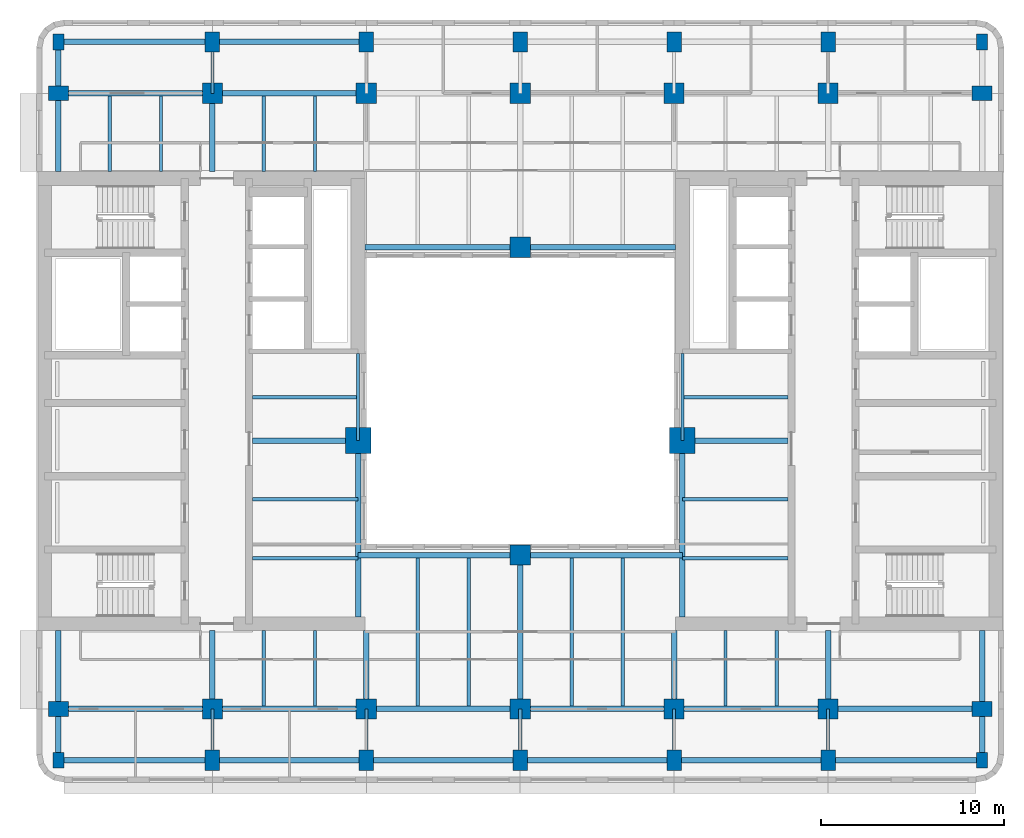
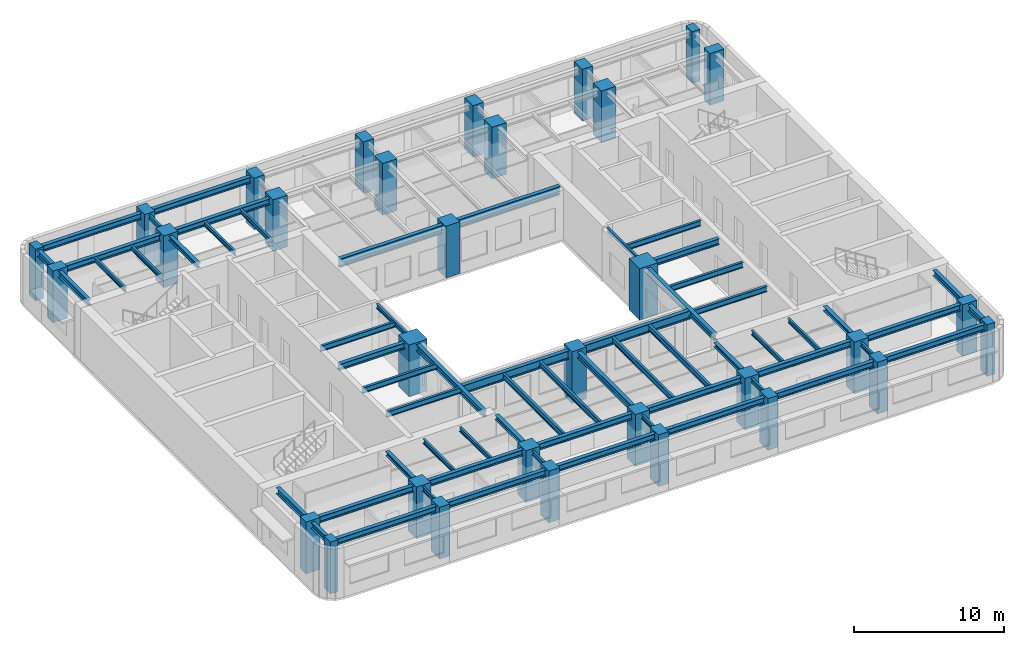
# One storey, part 1 of 11: 62 beams, 32 columns.
"""IFC4 building model written with IfcOpenShell, lengths in metres."""

from ifc_helpers import new_model, si_unit, direction, frame, origin, origin_2d, place, context, subcontext, project, spatial, rectangle, i_section, extrude, material, material_profile, profile_set, type_object, element, save


model = new_model("IFC4")

# Units and contexts
model_context = context("Model", 3, precision=1e-05, world=origin(), true_north=direction((0.0, 1.0)))
body_context = subcontext(model_context, "Body", "Model", "MODEL_VIEW")
ifc_project = project(units=[si_unit("LENGTHUNIT", "METRE"), si_unit("AREAUNIT", "SQUARE_METRE"), si_unit("VOLUMEUNIT", "CUBIC_METRE"), si_unit("PLANEANGLEUNIT", "RADIAN"), si_unit("MASSUNIT", "GRAM", prefix="KILO")], contexts=[model_context])

# Site, building, storey
site_placement = place(None, origin())
site = spatial("IfcSite", under=ifc_project, at=site_placement, CompositionType="ELEMENT")
building_placement = place(site_placement, origin())
building = spatial("IfcBuilding", under=site, at=building_placement, Name="Claustro Exchange Tower", CompositionType="ELEMENT")
storey_placement = place(building_placement, frame((0.0, 0.0, 202.800048828125)))
storey = spatial("IfcBuildingStorey", under=building, at=storey_placement, Name="L46", CompositionType="ELEMENT", Elevation=202.800048828125)

# Columns
ifc_material_1 = material(Name="Concrete HA-70 (C70/85)", Category="concrete")
ifc_material_profile_1 = material_profile(ifc_material_1, rectangle(XDim=1.39990234375, YDim=1.39990234375, at=origin_2d()), Name="RC 1400x1400")
ifc_profile_set_1 = profile_set([ifc_material_profile_1], Name="Concrete HA-70 (C70/85)")
column_type_1 = type_object("IfcColumnType", Name="C0 RC 1400x1400 HA-70 column", PredefinedType="COLUMN", material=ifc_profile_set_1)
for number, where, z_axis, x_axis, name in (
    (1, (16.35009765625, 23.050048828125, 0.0), (0.0, 0.0, 1.0), (1.0, 0.0, 0.0), "Column C0 2+7950/C+6250 L46"),
    (2, (34.050048828125, 23.050048828125, 0.0), (0.0, 0.0, 1.0), (1.0, 0.0, 0.0), "Column C0 5+450/C+6250 L46"),
):
    element("IfcColumn", number, at=place(storey_placement, frame(where, z_axis=z_axis, x_axis=x_axis)), inside=storey, type_object=column_type_1, Name=name, PredefinedType="COLUMN", context=body_context, shape_type="SweptSolid", body=[
        extrude(rectangle(XDim=1.39990234375, YDim=1.39990234375, at=origin_2d()), origin(), (0.0, 0.0, 1.0), 4.199951171875),
    ])
ifc_material_2 = material(Name="Concrete HA-70 (C70/85)", Category="concrete")
ifc_material_profile_2 = material_profile(ifc_material_2, rectangle(XDim=1.10009765625, YDim=1.10009765625, at=origin_2d()), Name="RC 1100x1100")
ifc_profile_set_2 = profile_set([ifc_material_profile_2], Name="Concrete HA-70 (C70/85)")
column_type_2 = type_object("IfcColumnType", Name="C17 RC 1100x1100 HA-70 column", PredefinedType="COLUMN", material=ifc_profile_set_2)
for number, where, z_axis, x_axis, name in (
    (3, (8.39990234375, 8.39990234375, 0.0), (0.0, 0.0, 1.0), (1.0, 0.0, 0.0), "Column C17 2/B L46"),
    (4, (8.39990234375, 42.0, 0.0), (0.0, 0.0, 1.0), (1.0, 0.0, 0.0), "Column C17 2/F L46"),
    (5, (16.800048828125, 8.39990234375, 0.0), (0.0, 0.0, 1.0), (1.0, 0.0, 0.0), "Column C17 3/B L46"),
    (6, (16.800048828125, 42.0, 0.0), (0.0, 0.0, 1.0), (1.0, 0.0, 0.0), "Column C17 3/F L46"),
    (7, (25.199951171875, 8.39990234375, 0.0), (0.0, 0.0, 1.0), (1.0, 0.0, 0.0), "Column C17 4/B L46"),
    (8, (25.199951171875, 42.0, 0.0), (0.0, 0.0, 1.0), (1.0, 0.0, 0.0), "Column C17 4/F L46"),
    (9, (25.199951171875, 16.800048828125, 0.0), (0.0, 0.0, 1.0), (1.0, 0.0, 0.0), "Column C17 4/C L46"),
    (10, (25.199951171875, 33.60009765625, 0.0), (0.0, 0.0, 1.0), (1.0, 0.0, 0.0), "Column C17 4/E L46"),
    (11, (33.60009765625, 8.39990234375, 0.0), (0.0, 0.0, 1.0), (1.0, 0.0, 0.0), "Column C17 5/B L46"),
    (12, (33.60009765625, 42.0, 0.0), (0.0, 0.0, 1.0), (1.0, 0.0, 0.0), "Column C17 5/F L46"),
    (13, (42.0, 8.39990234375, 0.0), (0.0, 0.0, 1.0), (1.0, 0.0, 0.0), "Column C17 6/B L46"),
    (14, (42.0, 42.0, 0.0), (0.0, 0.0, 1.0), (1.0, 0.0, 0.0), "Column C17 6/F L46"),
):
    element("IfcColumn", number, at=place(storey_placement, frame(where, z_axis=z_axis, x_axis=x_axis)), inside=storey, type_object=column_type_2, Name=name, PredefinedType="COLUMN", context=body_context, shape_type="SweptSolid", body=[
        extrude(rectangle(XDim=1.10009765625, YDim=1.10009765625, at=origin_2d()), origin(), (0.0, 0.0, 1.0), 4.199951171875),
    ])
ifc_material_3 = material(Name="Concrete HA-50 (C50/60)", Category="concrete")
ifc_material_profile_3 = material_profile(ifc_material_3, rectangle(XDim=0.800048828125, YDim=1.10009765625, at=origin_2d()), Name="RC 800x1100")
ifc_profile_set_3 = profile_set([ifc_material_profile_3], Name="Concrete HA-50 (C50/60)")
column_type_3 = type_object("IfcColumnType", Name="C23 RC 800x1100 HA-50 perimeter column", PredefinedType="COLUMN", material=ifc_profile_set_3)
for number, where, z_axis, x_axis, name in (
    (15, (0.0, 8.39990234375, 0.0), (0.0, 0.0, 1.0), (0.0, 1.0, 0.0), "Column C23 1/B L46"),
    (16, (0.0, 42.0, 0.0), (0.0, 0.0, 1.0), (0.0, 1.0, 0.0), "Column C23 1/F L46"),
    (17, (8.39990234375, 5.60009765625, 0.0), (0.0, 0.0, 1.0), (1.0, 0.0, 0.0), "Column C23 2/A+5600 L46"),
    (18, (8.39990234375, 44.800048828125, 0.0), (0.0, 0.0, 1.0), (1.0, 0.0, 0.0), "Column C23 2/F+2800 L46"),
    (19, (16.800048828125, 5.60009765625, 0.0), (0.0, 0.0, 1.0), (1.0, 0.0, 0.0), "Column C23 3/A+5600 L46"),
    (20, (16.800048828125, 44.800048828125, 0.0), (0.0, 0.0, 1.0), (1.0, 0.0, 0.0), "Column C23 3/F+2800 L46"),
    (21, (25.199951171875, 5.60009765625, 0.0), (0.0, 0.0, 1.0), (1.0, 0.0, 0.0), "Column C23 4/A+5600 L46"),
    (22, (25.199951171875, 44.800048828125, 0.0), (0.0, 0.0, 1.0), (1.0, 0.0, 0.0), "Column C23 4/F+2800 L46"),
    (23, (33.60009765625, 5.60009765625, 0.0), (0.0, 0.0, 1.0), (1.0, 0.0, 0.0), "Column C23 5/A+5600 L46"),
    (24, (33.60009765625, 44.800048828125, 0.0), (0.0, 0.0, 1.0), (1.0, 0.0, 0.0), "Column C23 5/F+2800 L46"),
    (25, (42.0, 5.60009765625, 0.0), (0.0, 0.0, 1.0), (1.0, 0.0, 0.0), "Column C23 6/A+5600 L46"),
    (26, (42.0, 44.800048828125, 0.0), (0.0, 0.0, 1.0), (1.0, 0.0, 0.0), "Column C23 6/F+2800 L46"),
    (27, (50.39990234375, 8.39990234375, 0.0), (0.0, 0.0, 1.0), (0.0, 1.0, 0.0), "Column C23 7/B L46"),
    (28, (50.39990234375, 42.0, 0.0), (0.0, 0.0, 1.0), (0.0, 1.0, 0.0), "Column C23 7/F L46"),
):
    element("IfcColumn", number, at=place(storey_placement, frame(where, z_axis=z_axis, x_axis=x_axis)), inside=storey, type_object=column_type_3, Name=name, PredefinedType="COLUMN", context=body_context, shape_type="SweptSolid", body=[
        extrude(rectangle(XDim=0.800048828125, YDim=1.10009765625, at=origin_2d()), origin(), (0.0, 0.0, 1.0), 4.199951171875),
    ])
ifc_material_4 = material(Name="Concrete HA-50 (C50/60)", Category="concrete")
ifc_material_profile_4 = material_profile(ifc_material_4, rectangle(XDim=0.60009765625, YDim=0.85009765625, at=origin_2d()), Name="RC 600x850")
ifc_profile_set_4 = profile_set([ifc_material_profile_4], Name="Concrete HA-50 (C50/60)")
column_type_4 = type_object("IfcColumnType", Name="C25 RC 600x850 HA-50 corner column", PredefinedType="COLUMN", material=ifc_profile_set_4)
for number, where, z_axis, x_axis, name in (
    (29, (0.0, 5.60009765625, 0.0), (0.0, 0.0, 1.0), (1.0, 0.0, 0.0), "Column C25 1/A+5600 L46"),
    (30, (0.0, 44.800048828125, 0.0), (0.0, 0.0, 1.0), (1.0, 0.0, 0.0), "Column C25 1/F+2800 L46"),
    (31, (50.39990234375, 5.60009765625, 0.0), (0.0, 0.0, 1.0), (1.0, 0.0, 0.0), "Column C25 7/A+5600 L46"),
    (32, (50.39990234375, 44.800048828125, 0.0), (0.0, 0.0, 1.0), (1.0, 0.0, 0.0), "Column C25 7/F+2800 L46"),
):
    element("IfcColumn", number, at=place(storey_placement, frame(where, z_axis=z_axis, x_axis=x_axis)), inside=storey, type_object=column_type_4, Name=name, PredefinedType="COLUMN", context=body_context, shape_type="SweptSolid", body=[
        extrude(rectangle(XDim=0.60009765625, YDim=0.85009765625, at=origin_2d()), origin(), (0.0, 0.0, 1.0), 4.199951171875),
    ])

# Beams
ifc_material_5 = material(Name="Steel S355", Category="steel")
ifc_material_profile_5 = material_profile(ifc_material_5, i_section(OverallWidth=0.300048828125, OverallDepth=0.68994140625, WebThickness=0.014404296875, FlangeThickness=0.027099609375, FilletRadius=0.027099609375, at=origin_2d()), Name="HE 700 A")
ifc_profile_set_5 = profile_set([ifc_material_profile_5], Name="Steel S355")
beam_type_1 = type_object("IfcBeamType", Name="B13 HE 700 A light well edge girder", PredefinedType="BEAM", material=ifc_profile_set_5)
beam_1_placement = place(storey_placement, frame((16.35009765625, 16.800048828125, 3.704833984375), z_axis=(1.0, 0.0, 0.0), x_axis=(0.0, 1.0, 0.0)))
element("IfcBeam", 33, at=beam_1_placement, inside=storey, type_object=beam_type_1, Name="Beam B13 L47", PredefinedType="BEAM", context=body_context, shape_type="SweptSolid", body=[
    extrude(i_section(OverallWidth=0.300048828125, OverallDepth=0.68994140625, WebThickness=0.014404296875, FlangeThickness=0.027099609375, FilletRadius=0.027099609375, at=origin_2d()), origin(), (0.0, 0.0, 1.0), 8.849853515625),
])
beam_2_placement = place(storey_placement, frame((25.199951171875, 16.800048828125, 3.704833984375), z_axis=(1.0, 0.0, 0.0), x_axis=(0.0, 1.0, 0.0)))
element("IfcBeam", 34, at=beam_2_placement, inside=storey, type_object=beam_type_1, Name="Beam B13 L47", PredefinedType="BEAM", context=body_context, shape_type="SweptSolid", body=[
    extrude(i_section(OverallWidth=0.300048828125, OverallDepth=0.68994140625, WebThickness=0.014404296875, FlangeThickness=0.027099609375, FilletRadius=0.027099609375, at=origin_2d()), origin(), (0.0, 0.0, 1.0), 8.85009765625),
])
beam_3_placement = place(storey_placement, frame((16.72509765625, 33.60009765625, 3.704833984375), z_axis=(1.0, 0.0, 0.0), x_axis=(0.0, 1.0, 0.0)))
element("IfcBeam", 35, at=beam_3_placement, inside=storey, type_object=beam_type_1, Name="Beam B13 L47", PredefinedType="BEAM", context=body_context, shape_type="SweptSolid", body=[
    extrude(i_section(OverallWidth=0.300048828125, OverallDepth=0.68994140625, WebThickness=0.014404296875, FlangeThickness=0.027099609375, FilletRadius=0.027099609375, at=origin_2d()), origin(), (0.0, 0.0, 1.0), 8.474853515625),
])
beam_4_placement = place(storey_placement, frame((25.199951171875, 33.60009765625, 3.704833984375), z_axis=(1.0, 0.0, 0.0), x_axis=(0.0, 1.0, 0.0)))
element("IfcBeam", 36, at=beam_4_placement, inside=storey, type_object=beam_type_1, Name="Beam B13 L47", PredefinedType="BEAM", context=body_context, shape_type="SweptSolid", body=[
    extrude(i_section(OverallWidth=0.300048828125, OverallDepth=0.68994140625, WebThickness=0.014404296875, FlangeThickness=0.027099609375, FilletRadius=0.027099609375, at=origin_2d()), origin(), (0.0, 0.0, 1.0), 8.47509765625),
])
ifc_material_6 = material(Name="Steel S355", Category="steel")
ifc_material_profile_6 = material_profile(ifc_material_6, i_section(OverallWidth=0.169921875, OverallDepth=0.360107421875, WebThickness=0.008056640625, FlangeThickness=0.0126953125, FilletRadius=0.01806640625, at=origin_2d()), Name="IPE 360")
ifc_profile_set_6 = profile_set([ifc_material_profile_6], Name="Steel S355")
beam_type_2 = type_object("IfcBeamType", Name="B16 IPE 360 short-span beam", PredefinedType="BEAM", material=ifc_profile_set_6)
beam_5_placement = place(storey_placement, frame((8.39990234375, 5.60009765625, 3.869873046875), z_axis=(0.0, 1.0, 0.0), x_axis=(-1.0, 0.0, 0.0)))
element("IfcBeam", 37, at=beam_5_placement, inside=storey, type_object=beam_type_2, Name="Beam B16 L47", PredefinedType="BEAM", context=body_context, shape_type="SweptSolid", body=[
    extrude(i_section(OverallWidth=0.169921875, OverallDepth=0.360107421875, WebThickness=0.008056640625, FlangeThickness=0.0126953125, FilletRadius=0.01806640625, at=origin_2d()), origin(), (0.0, 0.0, 1.0), 2.7998046875),
])
beam_6_placement = place(storey_placement, frame((8.39990234375, 42.0, 3.869873046875), z_axis=(0.0, 1.0, 0.0), x_axis=(-1.0, 0.0, 0.0)))
element("IfcBeam", 38, at=beam_6_placement, inside=storey, type_object=beam_type_2, Name="Beam B16 L47", PredefinedType="BEAM", context=body_context, shape_type="SweptSolid", body=[
    extrude(i_section(OverallWidth=0.169921875, OverallDepth=0.360107421875, WebThickness=0.008056640625, FlangeThickness=0.0126953125, FilletRadius=0.01806640625, at=origin_2d()), origin(), (0.0, 0.0, 1.0), 2.800048828125),
])
for number, where, z_axis, x_axis, name in (
    (39, (16.800048828125, 5.60009765625, 3.869873046875), (0.0, 1.0, 0.0), (-1.0, 0.0, 0.0), "Beam B16 L47"),
    (40, (25.199951171875, 5.60009765625, 3.869873046875), (0.0, 1.0, 0.0), (-1.0, 0.0, 0.0), "Beam B16 L47"),
    (41, (33.60009765625, 5.60009765625, 3.869873046875), (0.0, 1.0, 0.0), (-1.0, 0.0, 0.0), "Beam B16 L47"),
    (42, (42.0, 5.60009765625, 3.869873046875), (0.0, 1.0, 0.0), (-1.0, 0.0, 0.0), "Beam B16 L47"),
):
    element("IfcBeam", number, at=place(storey_placement, frame(where, z_axis=z_axis, x_axis=x_axis)), inside=storey, type_object=beam_type_2, Name=name, PredefinedType="BEAM", context=body_context, shape_type="SweptSolid", body=[
        extrude(i_section(OverallWidth=0.169921875, OverallDepth=0.360107421875, WebThickness=0.008056640625, FlangeThickness=0.0126953125, FilletRadius=0.01806640625, at=origin_2d()), origin(), (0.0, 0.0, 1.0), 2.7998046875),
    ])
for number, where, z_axis, x_axis, name in (
    (43, (2.800048828125, 37.72509765625, 3.869873046875), (0.0, 1.0, 0.0), (-1.0, 0.0, 0.0), "Beam B16 L47"),
    (44, (5.60009765625, 37.72509765625, 3.869873046875), (0.0, 1.0, 0.0), (-1.0, 0.0, 0.0), "Beam B16 L47"),
    (45, (11.199951171875, 8.550048828125, 3.869873046875), (0.0, 1.0, 0.0), (-1.0, 0.0, 0.0), "Beam B16 L47"),
    (46, (14.0, 8.550048828125, 3.869873046875), (0.0, 1.0, 0.0), (-1.0, 0.0, 0.0), "Beam B16 L47"),
    (47, (11.199951171875, 37.72509765625, 3.869873046875), (0.0, 1.0, 0.0), (-1.0, 0.0, 0.0), "Beam B16 L47"),
    (48, (14.0, 37.72509765625, 3.869873046875), (0.0, 1.0, 0.0), (-1.0, 0.0, 0.0), "Beam B16 L47"),
    (49, (36.39990234375, 8.550048828125, 3.869873046875), (0.0, 1.0, 0.0), (-1.0, 0.0, 0.0), "Beam B16 L47"),
    (50, (39.199951171875, 8.550048828125, 3.869873046875), (0.0, 1.0, 0.0), (-1.0, 0.0, 0.0), "Beam B16 L47"),
):
    element("IfcBeam", number, at=place(storey_placement, frame(where, z_axis=z_axis, x_axis=x_axis)), inside=storey, type_object=beam_type_2, Name=name, PredefinedType="BEAM", context=body_context, shape_type="SweptSolid", body=[
        extrude(i_section(OverallWidth=0.169921875, OverallDepth=0.360107421875, WebThickness=0.008056640625, FlangeThickness=0.0126953125, FilletRadius=0.01806640625, at=origin_2d()), origin(), (0.0, 0.0, 1.0), 4.125),
    ])
for number, where, z_axis, x_axis, name in (
    (51, (16.35009765625, 23.050048828125, 3.869873046875), (0.0, 1.0, 0.0), (-1.0, 0.0, 0.0), "Beam B16 core step framing L47"),
    (52, (34.050048828125, 23.050048828125, 3.869873046875), (0.0, 1.0, 0.0), (-1.0, 0.0, 0.0), "Beam B16 core step framing L47"),
):
    element("IfcBeam", number, at=place(storey_placement, frame(where, z_axis=z_axis, x_axis=x_axis)), inside=storey, type_object=beam_type_2, Name=name, PredefinedType="BEAM", context=body_context, shape_type="SweptSolid", body=[
        extrude(i_section(OverallWidth=0.169921875, OverallDepth=0.360107421875, WebThickness=0.008056640625, FlangeThickness=0.0126953125, FilletRadius=0.01806640625, at=origin_2d()), origin(), (0.0, 0.0, 1.0), 4.75),
    ])
ifc_material_7 = material(Name="Steel S355", Category="steel")
ifc_material_profile_7 = material_profile(ifc_material_7, i_section(OverallWidth=0.300048828125, OverallDepth=0.360107421875, WebThickness=0.012451171875, FlangeThickness=0.0224609375, FilletRadius=0.027099609375, at=origin_2d()), Name="HE 360 B")
ifc_profile_set_7 = profile_set([ifc_material_profile_7], Name="Steel S355")
beam_type_3 = type_object("IfcBeamType", Name="B29 HE 360 B column to core link beam", PredefinedType="BEAM", material=ifc_profile_set_7)
beam_7_placement = place(storey_placement, frame((8.39990234375, 8.39990234375, 3.869873046875), z_axis=(0.0, 1.0, 0.0), x_axis=(-1.0, 0.0, 0.0)))
element("IfcBeam", 53, at=beam_7_placement, inside=storey, type_object=beam_type_3, Name="Beam B29 L47", PredefinedType="BEAM", context=body_context, shape_type="SweptSolid", body=[
    extrude(i_section(OverallWidth=0.300048828125, OverallDepth=0.360107421875, WebThickness=0.012451171875, FlangeThickness=0.0224609375, FilletRadius=0.027099609375, at=origin_2d()), origin(), (0.0, 0.0, 1.0), 4.275146484375),
])
beam_8_placement = place(storey_placement, frame((8.39990234375, 37.72509765625, 3.869873046875), z_axis=(0.0, 1.0, 0.0), x_axis=(-1.0, 0.0, 0.0)))
element("IfcBeam", 54, at=beam_8_placement, inside=storey, type_object=beam_type_3, Name="Beam B29 L47", PredefinedType="BEAM", context=body_context, shape_type="SweptSolid", body=[
    extrude(i_section(OverallWidth=0.300048828125, OverallDepth=0.360107421875, WebThickness=0.012451171875, FlangeThickness=0.0224609375, FilletRadius=0.027099609375, at=origin_2d()), origin(), (0.0, 0.0, 1.0), 4.27490234375),
])
for number, where, z_axis, x_axis, name in (
    (55, (16.800048828125, 8.39990234375, 3.869873046875), (0.0, 1.0, 0.0), (-1.0, 0.0, 0.0), "Beam B29 L47"),
    (56, (33.60009765625, 8.39990234375, 3.869873046875), (0.0, 1.0, 0.0), (-1.0, 0.0, 0.0), "Beam B29 L47"),
    (57, (42.0, 8.39990234375, 3.869873046875), (0.0, 1.0, 0.0), (-1.0, 0.0, 0.0), "Beam B29 L47"),
):
    element("IfcBeam", number, at=place(storey_placement, frame(where, z_axis=z_axis, x_axis=x_axis)), inside=storey, type_object=beam_type_3, Name=name, PredefinedType="BEAM", context=body_context, shape_type="SweptSolid", body=[
        extrude(i_section(OverallWidth=0.300048828125, OverallDepth=0.360107421875, WebThickness=0.012451171875, FlangeThickness=0.0224609375, FilletRadius=0.027099609375, at=origin_2d()), origin(), (0.0, 0.0, 1.0), 4.275146484375),
    ])
ifc_material_8 = material(Name="Steel S355", Category="steel")
ifc_material_profile_8 = material_profile(ifc_material_8, i_section(OverallWidth=0.300048828125, OverallDepth=0.5, WebThickness=0.014404296875, FlangeThickness=0.028076171875, FilletRadius=0.027099609375, at=origin_2d()), Name="HE 500 B")
ifc_profile_set_8 = profile_set([ifc_material_profile_8], Name="Steel S355")
beam_type_4 = type_object("IfcBeamType", Name="B7 HE 500 B floor girder", PredefinedType="BEAM", material=ifc_profile_set_8)
beam_9_placement = place(storey_placement, frame((25.199951171875, 8.39990234375, 3.800048828125), z_axis=(0.0, 1.0, 0.0), x_axis=(-1.0, 0.0, 0.0)))
element("IfcBeam", 58, at=beam_9_placement, inside=storey, type_object=beam_type_4, Name="Beam B7 L47", PredefinedType="BEAM", context=body_context, shape_type="SweptSolid", body=[
    extrude(i_section(OverallWidth=0.300048828125, OverallDepth=0.5, WebThickness=0.014404296875, FlangeThickness=0.028076171875, FilletRadius=0.027099609375, at=origin_2d()), origin(), (0.0, 0.0, 1.0), 8.400146484375),
])
beam_10_placement = place(storey_placement, frame((0.0, 8.39990234375, 3.800048828125), z_axis=(1.0, 0.0, 0.0), x_axis=(0.0, 1.0, 0.0)))
element("IfcBeam", 59, at=beam_10_placement, inside=storey, type_object=beam_type_4, Name="Beam B7 L47", PredefinedType="BEAM", context=body_context, shape_type="SweptSolid", body=[
    extrude(i_section(OverallWidth=0.300048828125, OverallDepth=0.5, WebThickness=0.014404296875, FlangeThickness=0.028076171875, FilletRadius=0.027099609375, at=origin_2d()), origin(), (0.0, 0.0, 1.0), 8.39990234375),
])
beam_11_placement = place(storey_placement, frame((8.39990234375, 8.39990234375, 3.800048828125), z_axis=(1.0, 0.0, 0.0), x_axis=(0.0, 1.0, 0.0)))
element("IfcBeam", 60, at=beam_11_placement, inside=storey, type_object=beam_type_4, Name="Beam B7 L47", PredefinedType="BEAM", context=body_context, shape_type="SweptSolid", body=[
    extrude(i_section(OverallWidth=0.300048828125, OverallDepth=0.5, WebThickness=0.014404296875, FlangeThickness=0.028076171875, FilletRadius=0.027099609375, at=origin_2d()), origin(), (0.0, 0.0, 1.0), 8.400146484375),
])
beam_12_placement = place(storey_placement, frame((16.800048828125, 8.39990234375, 3.800048828125), z_axis=(1.0, 0.0, 0.0), x_axis=(0.0, 1.0, 0.0)))
element("IfcBeam", 61, at=beam_12_placement, inside=storey, type_object=beam_type_4, Name="Beam B7 L47", PredefinedType="BEAM", context=body_context, shape_type="SweptSolid", body=[
    extrude(i_section(OverallWidth=0.300048828125, OverallDepth=0.5, WebThickness=0.014404296875, FlangeThickness=0.028076171875, FilletRadius=0.027099609375, at=origin_2d()), origin(), (0.0, 0.0, 1.0), 8.39990234375),
])
beam_13_placement = place(storey_placement, frame((25.199951171875, 8.39990234375, 3.800048828125), z_axis=(1.0, 0.0, 0.0), x_axis=(0.0, 1.0, 0.0)))
element("IfcBeam", 62, at=beam_13_placement, inside=storey, type_object=beam_type_4, Name="Beam B7 L47", PredefinedType="BEAM", context=body_context, shape_type="SweptSolid", body=[
    extrude(i_section(OverallWidth=0.300048828125, OverallDepth=0.5, WebThickness=0.014404296875, FlangeThickness=0.028076171875, FilletRadius=0.027099609375, at=origin_2d()), origin(), (0.0, 0.0, 1.0), 8.400146484375),
])
for number, where, z_axis, x_axis, name in (
    (63, (33.60009765625, 8.39990234375, 3.800048828125), (1.0, 0.0, 0.0), (0.0, 1.0, 0.0), "Beam B7 L47"),
    (64, (42.0, 8.39990234375, 3.800048828125), (1.0, 0.0, 0.0), (0.0, 1.0, 0.0), "Beam B7 L47"),
    (65, (0.0, 42.0, 3.800048828125), (1.0, 0.0, 0.0), (0.0, 1.0, 0.0), "Beam B7 L47"),
):
    element("IfcBeam", number, at=place(storey_placement, frame(where, z_axis=z_axis, x_axis=x_axis)), inside=storey, type_object=beam_type_4, Name=name, PredefinedType="BEAM", context=body_context, shape_type="SweptSolid", body=[
        extrude(i_section(OverallWidth=0.300048828125, OverallDepth=0.5, WebThickness=0.014404296875, FlangeThickness=0.028076171875, FilletRadius=0.027099609375, at=origin_2d()), origin(), (0.0, 0.0, 1.0), 8.39990234375),
    ])
beam_14_placement = place(storey_placement, frame((8.39990234375, 42.0, 3.800048828125), z_axis=(1.0, 0.0, 0.0), x_axis=(0.0, 1.0, 0.0)))
element("IfcBeam", 66, at=beam_14_placement, inside=storey, type_object=beam_type_4, Name="Beam B7 L47", PredefinedType="BEAM", context=body_context, shape_type="SweptSolid", body=[
    extrude(i_section(OverallWidth=0.300048828125, OverallDepth=0.5, WebThickness=0.014404296875, FlangeThickness=0.028076171875, FilletRadius=0.027099609375, at=origin_2d()), origin(), (0.0, 0.0, 1.0), 8.400146484375),
])
beam_15_placement = place(storey_placement, frame((10.60009765625, 23.050048828125, 3.800048828125), z_axis=(1.0, 0.0, 0.0), x_axis=(0.0, 1.0, 0.0)))
element("IfcBeam", 67, at=beam_15_placement, inside=storey, type_object=beam_type_4, Name="Beam B7 core step framing L47", PredefinedType="BEAM", context=body_context, shape_type="SweptSolid", body=[
    extrude(i_section(OverallWidth=0.300048828125, OverallDepth=0.5, WebThickness=0.014404296875, FlangeThickness=0.028076171875, FilletRadius=0.027099609375, at=origin_2d()), origin(), (0.0, 0.0, 1.0), 5.75),
])
beam_16_placement = place(storey_placement, frame((16.35009765625, 13.425048828125, 3.800048828125), z_axis=(0.0, 1.0, 0.0), x_axis=(-1.0, 0.0, 0.0)))
element("IfcBeam", 68, at=beam_16_placement, inside=storey, type_object=beam_type_4, Name="Beam B7 core step framing L47", PredefinedType="BEAM", context=body_context, shape_type="SweptSolid", body=[
    extrude(i_section(OverallWidth=0.300048828125, OverallDepth=0.5, WebThickness=0.014404296875, FlangeThickness=0.028076171875, FilletRadius=0.027099609375, at=origin_2d()), origin(), (0.0, 0.0, 1.0), 9.625),
])
beam_17_placement = place(storey_placement, frame((34.050048828125, 23.050048828125, 3.800048828125), z_axis=(1.0, 0.0, 0.0), x_axis=(0.0, 1.0, 0.0)))
element("IfcBeam", 69, at=beam_17_placement, inside=storey, type_object=beam_type_4, Name="Beam B7 core step framing L47", PredefinedType="BEAM", context=body_context, shape_type="SweptSolid", body=[
    extrude(i_section(OverallWidth=0.300048828125, OverallDepth=0.5, WebThickness=0.014404296875, FlangeThickness=0.028076171875, FilletRadius=0.027099609375, at=origin_2d()), origin(), (0.0, 0.0, 1.0), 5.75),
])
beam_18_placement = place(storey_placement, frame((34.050048828125, 13.425048828125, 3.800048828125), z_axis=(0.0, 1.0, 0.0), x_axis=(-1.0, 0.0, 0.0)))
element("IfcBeam", 70, at=beam_18_placement, inside=storey, type_object=beam_type_4, Name="Beam B7 core step framing L47", PredefinedType="BEAM", context=body_context, shape_type="SweptSolid", body=[
    extrude(i_section(OverallWidth=0.300048828125, OverallDepth=0.5, WebThickness=0.014404296875, FlangeThickness=0.028076171875, FilletRadius=0.027099609375, at=origin_2d()), origin(), (0.0, 0.0, 1.0), 9.625),
])
ifc_material_9 = material(Name="Steel S355", Category="steel")
ifc_material_profile_9 = material_profile(ifc_material_9, i_section(OverallWidth=0.18994140625, OverallDepth=0.449951171875, WebThickness=0.009521484375, FlangeThickness=0.0146484375, FilletRadius=0.02099609375, at=origin_2d()), Name="IPE 450")
ifc_profile_set_9 = profile_set([ifc_material_profile_9], Name="Steel S355")
beam_type_5 = type_object("IfcBeamType", Name="B8 IPE 450 secondary beam", PredefinedType="BEAM", material=ifc_profile_set_9)
for number, where, z_axis, x_axis, name in (
    (71, (19.60009765625, 8.550048828125, 3.824951171875), (0.0, 1.0, 0.0), (-1.0, 0.0, 0.0), "Beam B8 L47"),
    (72, (22.39990234375, 8.550048828125, 3.824951171875), (0.0, 1.0, 0.0), (-1.0, 0.0, 0.0), "Beam B8 L47"),
    (73, (28.0, 8.550048828125, 3.824951171875), (0.0, 1.0, 0.0), (-1.0, 0.0, 0.0), "Beam B8 L47"),
    (74, (30.800048828125, 8.550048828125, 3.824951171875), (0.0, 1.0, 0.0), (-1.0, 0.0, 0.0), "Beam B8 L47"),
):
    element("IfcBeam", number, at=place(storey_placement, frame(where, z_axis=z_axis, x_axis=x_axis)), inside=storey, type_object=beam_type_5, Name=name, PredefinedType="BEAM", context=body_context, shape_type="SweptSolid", body=[
        extrude(i_section(OverallWidth=0.18994140625, OverallDepth=0.449951171875, WebThickness=0.009521484375, FlangeThickness=0.0146484375, FilletRadius=0.02099609375, at=origin_2d()), origin(), (0.0, 0.0, 1.0), 8.099853515625),
    ])
for number, where, z_axis, x_axis, name in (
    (75, (10.60009765625, 16.63330078125, 3.824951171875), (1.0, 0.0, 0.0), (0.0, 1.0, 0.0), "Beam B8 core step framing L47"),
    (76, (10.60009765625, 19.841796875, 3.824951171875), (1.0, 0.0, 0.0), (0.0, 1.0, 0.0), "Beam B8 core step framing L47"),
    (77, (10.60009765625, 25.425048828125, 3.824951171875), (1.0, 0.0, 0.0), (0.0, 1.0, 0.0), "Beam B8 core step framing L47"),
    (78, (34.050048828125, 16.63330078125, 3.824951171875), (1.0, 0.0, 0.0), (0.0, 1.0, 0.0), "Beam B8 core step framing L47"),
    (79, (34.050048828125, 19.841796875, 3.824951171875), (1.0, 0.0, 0.0), (0.0, 1.0, 0.0), "Beam B8 core step framing L47"),
    (80, (34.050048828125, 25.425048828125, 3.824951171875), (1.0, 0.0, 0.0), (0.0, 1.0, 0.0), "Beam B8 core step framing L47"),
):
    element("IfcBeam", number, at=place(storey_placement, frame(where, z_axis=z_axis, x_axis=x_axis)), inside=storey, type_object=beam_type_5, Name=name, PredefinedType="BEAM", context=body_context, shape_type="SweptSolid", body=[
        extrude(i_section(OverallWidth=0.18994140625, OverallDepth=0.449951171875, WebThickness=0.009521484375, FlangeThickness=0.0146484375, FilletRadius=0.02099609375, at=origin_2d()), origin(), (0.0, 0.0, 1.0), 5.75),
    ])
ifc_material_10 = material(Name="Steel S355", Category="steel")
ifc_material_profile_10 = material_profile(ifc_material_10, i_section(OverallWidth=0.300048828125, OverallDepth=0.489990234375, WebThickness=0.011962890625, FlangeThickness=0.02294921875, FilletRadius=0.027099609375, at=origin_2d()), Name="HE 500 A")
ifc_profile_set_10 = profile_set([ifc_material_profile_10], Name="Steel S355")
beam_type_6 = type_object("IfcBeamType", Name="B9 HE 500 A spandrel edge girder", PredefinedType="SPANDREL", material=ifc_profile_set_10)
beam_19_placement = place(storey_placement, frame((0.0, 5.60009765625, 3.804931640625), z_axis=(0.0, 1.0, 0.0), x_axis=(-1.0, 0.0, 0.0)))
element("IfcBeam", 81, at=beam_19_placement, inside=storey, type_object=beam_type_6, Name="Beam B9 L47", PredefinedType="SPANDREL", context=body_context, shape_type="SweptSolid", body=[
    extrude(i_section(OverallWidth=0.300048828125, OverallDepth=0.489990234375, WebThickness=0.011962890625, FlangeThickness=0.02294921875, FilletRadius=0.027099609375, at=origin_2d()), origin(), (0.0, 0.0, 1.0), 2.7998046875),
])
beam_20_placement = place(storey_placement, frame((0.0, 8.39990234375, 3.804931640625), z_axis=(0.0, 1.0, 0.0), x_axis=(-1.0, 0.0, 0.0)))
element("IfcBeam", 82, at=beam_20_placement, inside=storey, type_object=beam_type_6, Name="Beam B9 L47", PredefinedType="SPANDREL", context=body_context, shape_type="SweptSolid", body=[
    extrude(i_section(OverallWidth=0.300048828125, OverallDepth=0.489990234375, WebThickness=0.011962890625, FlangeThickness=0.02294921875, FilletRadius=0.027099609375, at=origin_2d()), origin(), (0.0, 0.0, 1.0), 4.275146484375),
])
beam_21_placement = place(storey_placement, frame((0.0, 37.72509765625, 3.804931640625), z_axis=(0.0, 1.0, 0.0), x_axis=(-1.0, 0.0, 0.0)))
element("IfcBeam", 83, at=beam_21_placement, inside=storey, type_object=beam_type_6, Name="Beam B9 L47", PredefinedType="SPANDREL", context=body_context, shape_type="SweptSolid", body=[
    extrude(i_section(OverallWidth=0.300048828125, OverallDepth=0.489990234375, WebThickness=0.011962890625, FlangeThickness=0.02294921875, FilletRadius=0.027099609375, at=origin_2d()), origin(), (0.0, 0.0, 1.0), 4.27490234375),
])
beam_22_placement = place(storey_placement, frame((0.0, 42.0, 3.804931640625), z_axis=(0.0, 1.0, 0.0), x_axis=(-1.0, 0.0, 0.0)))
element("IfcBeam", 84, at=beam_22_placement, inside=storey, type_object=beam_type_6, Name="Beam B9 L47", PredefinedType="SPANDREL", context=body_context, shape_type="SweptSolid", body=[
    extrude(i_section(OverallWidth=0.300048828125, OverallDepth=0.489990234375, WebThickness=0.011962890625, FlangeThickness=0.02294921875, FilletRadius=0.027099609375, at=origin_2d()), origin(), (0.0, 0.0, 1.0), 2.800048828125),
])
beam_23_placement = place(storey_placement, frame((50.39990234375, 5.60009765625, 3.804931640625), z_axis=(0.0, 1.0, 0.0), x_axis=(-1.0, 0.0, 0.0)))
element("IfcBeam", 85, at=beam_23_placement, inside=storey, type_object=beam_type_6, Name="Beam B9 L47", PredefinedType="SPANDREL", context=body_context, shape_type="SweptSolid", body=[
    extrude(i_section(OverallWidth=0.300048828125, OverallDepth=0.489990234375, WebThickness=0.011962890625, FlangeThickness=0.02294921875, FilletRadius=0.027099609375, at=origin_2d()), origin(), (0.0, 0.0, 1.0), 2.7998046875),
])
beam_24_placement = place(storey_placement, frame((50.39990234375, 8.39990234375, 3.804931640625), z_axis=(0.0, 1.0, 0.0), x_axis=(-1.0, 0.0, 0.0)))
element("IfcBeam", 86, at=beam_24_placement, inside=storey, type_object=beam_type_6, Name="Beam B9 L47", PredefinedType="SPANDREL", context=body_context, shape_type="SweptSolid", body=[
    extrude(i_section(OverallWidth=0.300048828125, OverallDepth=0.489990234375, WebThickness=0.011962890625, FlangeThickness=0.02294921875, FilletRadius=0.027099609375, at=origin_2d()), origin(), (0.0, 0.0, 1.0), 4.275146484375),
])
beam_25_placement = place(storey_placement, frame((0.0, 5.60009765625, 3.804931640625), z_axis=(1.0, 0.0, 0.0), x_axis=(0.0, 1.0, 0.0)))
element("IfcBeam", 87, at=beam_25_placement, inside=storey, type_object=beam_type_6, Name="Beam B9 L47", PredefinedType="SPANDREL", context=body_context, shape_type="SweptSolid", body=[
    extrude(i_section(OverallWidth=0.300048828125, OverallDepth=0.489990234375, WebThickness=0.011962890625, FlangeThickness=0.02294921875, FilletRadius=0.027099609375, at=origin_2d()), origin(), (0.0, 0.0, 1.0), 8.39990234375),
])
beam_26_placement = place(storey_placement, frame((8.39990234375, 5.60009765625, 3.804931640625), z_axis=(1.0, 0.0, 0.0), x_axis=(0.0, 1.0, 0.0)))
element("IfcBeam", 88, at=beam_26_placement, inside=storey, type_object=beam_type_6, Name="Beam B9 L47", PredefinedType="SPANDREL", context=body_context, shape_type="SweptSolid", body=[
    extrude(i_section(OverallWidth=0.300048828125, OverallDepth=0.489990234375, WebThickness=0.011962890625, FlangeThickness=0.02294921875, FilletRadius=0.027099609375, at=origin_2d()), origin(), (0.0, 0.0, 1.0), 8.400146484375),
])
beam_27_placement = place(storey_placement, frame((16.800048828125, 5.60009765625, 3.804931640625), z_axis=(1.0, 0.0, 0.0), x_axis=(0.0, 1.0, 0.0)))
element("IfcBeam", 89, at=beam_27_placement, inside=storey, type_object=beam_type_6, Name="Beam B9 L47", PredefinedType="SPANDREL", context=body_context, shape_type="SweptSolid", body=[
    extrude(i_section(OverallWidth=0.300048828125, OverallDepth=0.489990234375, WebThickness=0.011962890625, FlangeThickness=0.02294921875, FilletRadius=0.027099609375, at=origin_2d()), origin(), (0.0, 0.0, 1.0), 8.39990234375),
])
beam_28_placement = place(storey_placement, frame((25.199951171875, 5.60009765625, 3.804931640625), z_axis=(1.0, 0.0, 0.0), x_axis=(0.0, 1.0, 0.0)))
element("IfcBeam", 90, at=beam_28_placement, inside=storey, type_object=beam_type_6, Name="Beam B9 L47", PredefinedType="SPANDREL", context=body_context, shape_type="SweptSolid", body=[
    extrude(i_section(OverallWidth=0.300048828125, OverallDepth=0.489990234375, WebThickness=0.011962890625, FlangeThickness=0.02294921875, FilletRadius=0.027099609375, at=origin_2d()), origin(), (0.0, 0.0, 1.0), 8.400146484375),
])
for number, where, z_axis, x_axis, name in (
    (91, (33.60009765625, 5.60009765625, 3.804931640625), (1.0, 0.0, 0.0), (0.0, 1.0, 0.0), "Beam B9 L47"),
    (92, (42.0, 5.60009765625, 3.804931640625), (1.0, 0.0, 0.0), (0.0, 1.0, 0.0), "Beam B9 L47"),
    (93, (0.0, 44.800048828125, 3.804931640625), (1.0, 0.0, 0.0), (0.0, 1.0, 0.0), "Beam B9 L47"),
):
    element("IfcBeam", number, at=place(storey_placement, frame(where, z_axis=z_axis, x_axis=x_axis)), inside=storey, type_object=beam_type_6, Name=name, PredefinedType="SPANDREL", context=body_context, shape_type="SweptSolid", body=[
        extrude(i_section(OverallWidth=0.300048828125, OverallDepth=0.489990234375, WebThickness=0.011962890625, FlangeThickness=0.02294921875, FilletRadius=0.027099609375, at=origin_2d()), origin(), (0.0, 0.0, 1.0), 8.39990234375),
    ])
beam_29_placement = place(storey_placement, frame((8.39990234375, 44.800048828125, 3.804931640625), z_axis=(1.0, 0.0, 0.0), x_axis=(0.0, 1.0, 0.0)))
element("IfcBeam", 94, at=beam_29_placement, inside=storey, type_object=beam_type_6, Name="Beam B9 L47", PredefinedType="SPANDREL", context=body_context, shape_type="SweptSolid", body=[
    extrude(i_section(OverallWidth=0.300048828125, OverallDepth=0.489990234375, WebThickness=0.011962890625, FlangeThickness=0.02294921875, FilletRadius=0.027099609375, at=origin_2d()), origin(), (0.0, 0.0, 1.0), 8.400146484375),
])

save(model, "model.ifc")
